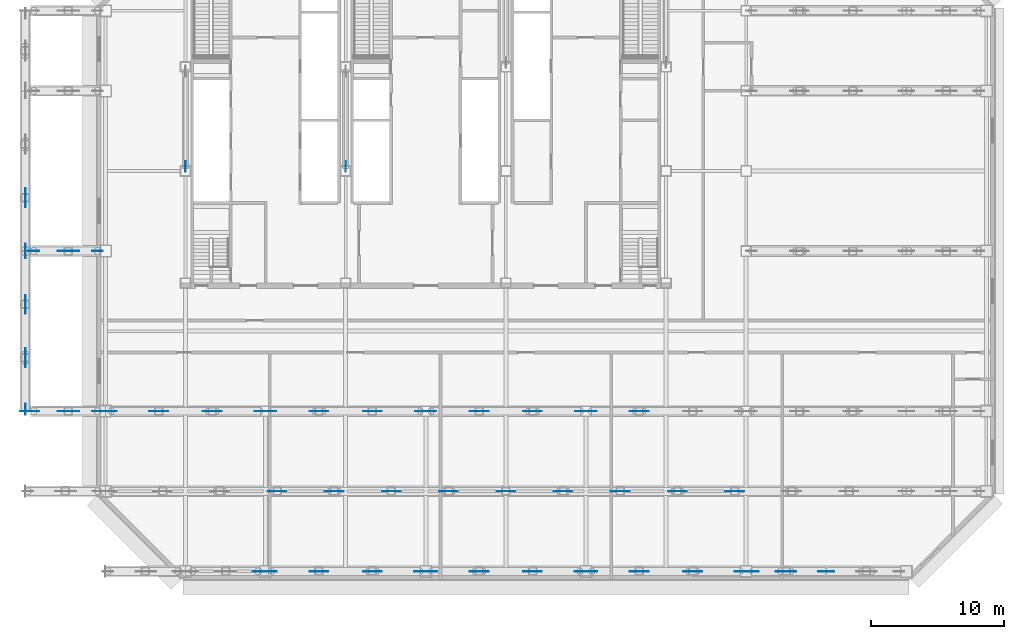
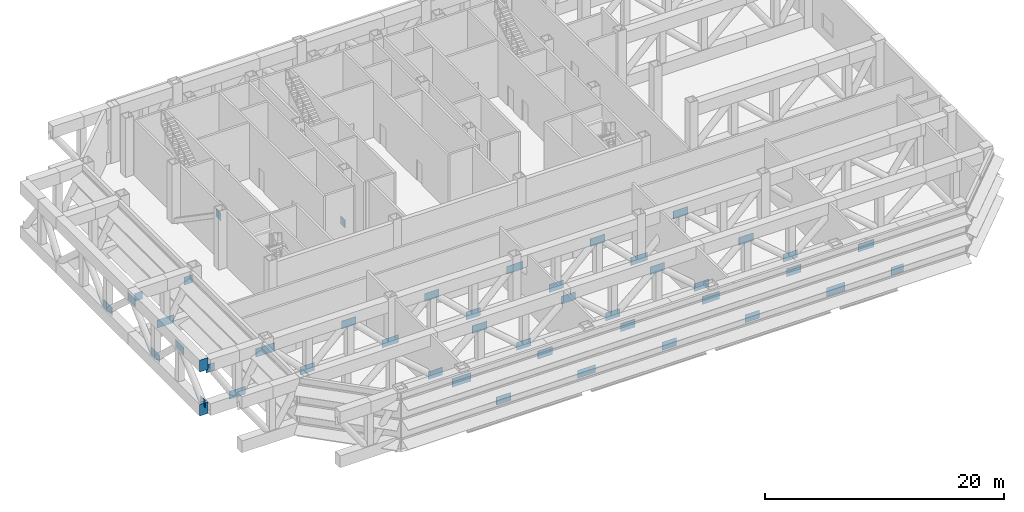
# One storey, part 11 of 17: 46 discrete accessories.
"""IFC4 building model written with IfcOpenShell, lengths in metres."""

import ifcopenshell
import ifcopenshell.guid

model = None  # the IFC model being written
_history = None  # IfcOwnerHistory: only IFC2X3 demands one
_inside = {}  # id of a spatial element -> (the spatial element, [elements in it])
_under = {}  # id of a project, library or spatial element -> (it, [spatial elements below it])
_declared = {}  # id of a project -> (the project, [libraries it declares])
_typed = {}  # id of a type object -> (the type object, [elements of that type])
_made_of = {}  # id of a material, layer set ... -> (it, [elements and type objects made of it])


def new_model(schema):
    """Start an empty IFC model of exactly this schema.

    Asked for "IFC4X3", IfcOpenShell would pick the latest addendum, in which some entities
    have other attributes; the version numbers below select the first issue.
    IFC2X3 requires an IfcOwnerHistory on every rooted entity: one is made here for all.
    """
    global model, _history
    if schema == "IFC4X3":
        model = ifcopenshell.file(schema_version=(4, 3, 0, 0))
    else:
        model = ifcopenshell.file(schema=schema)
    _inside.clear()
    _under.clear()
    _declared.clear()
    _typed.clear()
    _made_of.clear()
    _history = None
    if model.schema == "IFC2X3":
        org = make("IfcOrganization", Name="unknown")
        user = make(
            "IfcPersonAndOrganization",
            ThePerson=make("IfcPerson", FamilyName="unknown"),
            TheOrganization=org,
        )
        app = make(
            "IfcApplication",
            ApplicationDeveloper=org,
            Version="unknown",
            ApplicationFullName="unknown",
            ApplicationIdentifier="unknown",
        )
        _history = make(
            "IfcOwnerHistory",
            OwningUser=user,
            OwningApplication=app,
            ChangeAction="ADDED",
            CreationDate=0,
        )
    return model


def make(cls, **values):
    """One entity of the class cls with the attributes given. An attribute that is None is left unset."""
    return model.create_entity(
        cls, **{name: value for name, value in values.items() if value is not None}
    )


def rooted(cls, **values):
    """An entity with a GlobalId (a new one), such as an element, a storey or a relation."""
    return make(cls, GlobalId=ifcopenshell.guid.new(), OwnerHistory=_history, **values)


def si_unit(unit_type, name, prefix=None):
    """IfcSIUnit, for example si_unit("LENGTHUNIT", "METRE", prefix="MILLI")."""
    return make("IfcSIUnit", UnitType=unit_type, Prefix=prefix, Name=name)


def assignment(units):
    """IfcUnitAssignment: the units of a project."""
    return None if units is None else make("IfcUnitAssignment", Units=units)


def point(xyz):
    """IfcCartesianPoint."""
    return None if xyz is None else make("IfcCartesianPoint", Coordinates=xyz)


def direction(xyz):
    """IfcDirection."""
    return None if xyz is None else make("IfcDirection", DirectionRatios=xyz)


def frame(location, z_axis=None, x_axis=None):
    """IfcAxis2Placement3D, a coordinate frame: its origin and axes. An axis left out is left unset."""
    return make(
        "IfcAxis2Placement3D",
        Location=point(location),
        Axis=direction(z_axis),
        RefDirection=direction(x_axis),
    )


def frame_2d(location, x_axis=None):
    """IfcAxis2Placement2D, a coordinate frame in the plane: its origin and x axis."""
    return make(
        "IfcAxis2Placement2D", Location=point(location), RefDirection=direction(x_axis)
    )


def origin():
    """The frame at (0, 0, 0) with its axes left unset."""
    return frame((0.0, 0.0, 0.0))


def origin_2d():
    """The frame at (0, 0) in the plane with its x axis left unset."""
    return frame_2d((0.0, 0.0))


def place(relative_to, where):
    """IfcLocalPlacement: puts the frame where relative to a parent placement (None: the world)."""
    return make(
        "IfcLocalPlacement", PlacementRelTo=relative_to, RelativePlacement=where
    )


def context(
    kind, dimensions, precision=None, world=None, true_north=None, identifier=None
):
    """IfcGeometricRepresentationContext, for example the 3D "Model" context."""
    return make(
        "IfcGeometricRepresentationContext",
        ContextIdentifier=identifier,
        ContextType=kind,
        CoordinateSpaceDimension=dimensions,
        Precision=precision,
        WorldCoordinateSystem=world,
        TrueNorth=true_north,
    )


def subcontext(parent, identifier, kind, view, scale=None):
    """IfcGeometricRepresentationSubContext, for example "Body" below "Model"."""
    return make(
        "IfcGeometricRepresentationSubContext",
        ContextIdentifier=identifier,
        ContextType=kind,
        ParentContext=parent,
        TargetScale=scale,
        TargetView=view,
    )


def project(units=None, contexts=None):
    """IfcProject with its units and contexts."""
    return rooted(
        "IfcProject",
        Name="project",
        RepresentationContexts=contexts,
        UnitsInContext=assignment(units),
    )


def spatial(cls, under=None, at=None, **own):
    """A site, building, storey or space (cls), placed at a placement, below another one or the project."""
    s = rooted(cls, ObjectPlacement=at, **own)
    if under is not None:
        _under.setdefault(under.id(), (under, []))[1].append(s)
    return s


def profile(cls, at=None, kind="AREA", **sizes):
    """A parametric profile (cls). Its sizes go by their IFC names, for example OverallWidth=200.0."""
    return make(cls, ProfileType=kind, Position=at, **sizes)


def rectangle(**sizes):
    """IfcRectangleProfileDef."""
    return profile("IfcRectangleProfileDef", **sizes)


def extrude(swept, where, along, depth):
    """IfcExtrudedAreaSolid: the profile swept, set in the frame where, extruded along a direction by depth."""
    return make(
        "IfcExtrudedAreaSolid",
        SweptArea=swept,
        Position=where,
        ExtrudedDirection=direction(along),
        Depth=depth,
    )


def shape(context_of_items, identifier, shape_type, items):
    """IfcShapeRepresentation: the items that make up one representation, for example the "Body"."""
    return make(
        "IfcShapeRepresentation",
        ContextOfItems=context_of_items,
        RepresentationIdentifier=identifier,
        RepresentationType=shape_type,
        Items=items,
    )


def material(Name=None, Category=None):
    """IfcMaterial."""
    return make("IfcMaterial", Name=Name, Category=Category)


def layer(
    of_material, thickness, ventilated=None, Name=None, Category=None, Priority=None
):
    """IfcMaterialLayer: one layer of a wall or slab, of a material (None: an air gap)."""
    return make(
        "IfcMaterialLayer",
        Material=of_material,
        LayerThickness=thickness,
        IsVentilated=ventilated,
        Name=Name,
        Category=Category,
        Priority=Priority,
    )


def layer_set(layers, Name=None):
    """IfcMaterialLayerSet."""
    return make("IfcMaterialLayerSet", MaterialLayers=layers, LayerSetName=Name)


def made_of(thing, what):
    """Note that an element or type object is made of a material, layer set ...; save() writes the relation."""
    if what is not None:
        _made_of.setdefault(what.id(), (what, []))[1].append(thing)
    return thing


def type_object(cls, material=None, **own):
    """A type object (cls), such as IfcWallType, which elements share."""
    return made_of(rooted(cls, **own), material)


def element(
    cls,
    number,
    at=None,
    inside=None,
    cuts=None,
    type_object=None,
    material=None,
    context=None,
    identifier="Body",
    shape_type=None,
    held_by="IfcProductDefinitionShape",
    body=None,
    shapes=None,
    **own,
):
    """One element of the class cls, such as IfcWall. Its Tag is "e" and its number.

    at: its placement. inside: the storey or other place that contains it. cuts: it is an
    opening in that element (IfcRelVoidsElement). A single representation is given by context,
    identifier, shape_type and body (its items); several are given by shapes. held_by: the class
    of the entity that holds the representations. save() writes the other relations.
    """
    e = rooted(cls, Tag="e%d" % number, ObjectPlacement=at, **own)
    if body is not None:
        shapes = [shape(context, identifier, shape_type, body)]
    if shapes is not None:
        e.Representation = make(held_by, Representations=shapes)
    if inside is not None:
        _inside.setdefault(inside.id(), (inside, []))[1].append(e)
    if cuts is not None:
        rooted(
            "IfcRelVoidsElement", RelatingBuildingElement=cuts, RelatedOpeningElement=e
        )
    if type_object is not None:
        _typed.setdefault(type_object.id(), (type_object, []))[1].append(e)
    return made_of(e, material)


def aggregate(whole, parts):
    """IfcRelAggregates: a whole, such as a stair, and the parts it consists of."""
    return rooted("IfcRelAggregates", RelatingObject=whole, RelatedObjects=parts)


def save(model, path):
    """Write the relations noted so far, then the file.

    IfcRelAggregates (storeys below a building ...), IfcRelContainedInSpatialStructure (elements
    in a storey), IfcRelDefinesByType, IfcRelAssociatesMaterial and IfcRelDeclares: one each for
    every whole, place, type object, material and project.
    """
    for whole, parts in _under.values():
        aggregate(whole, parts)
    for where, things in _inside.values():
        rooted(
            "IfcRelContainedInSpatialStructure",
            RelatedElements=things,
            RelatingStructure=where,
        )
    for kind, things in _typed.values():
        rooted("IfcRelDefinesByType", RelatedObjects=things, RelatingType=kind)
    for what, things in _made_of.values():
        rooted("IfcRelAssociatesMaterial", RelatedObjects=things, RelatingMaterial=what)
    for by, libraries in _declared.values():
        rooted("IfcRelDeclares", RelatingContext=by, RelatedDefinitions=libraries)
    model.write(path)


model = new_model("IFC4")

# Units and contexts
model_context = context("Model", 3, precision=1e-05, world=origin(), true_north=direction((0.0, 1.0)))
body_context = subcontext(model_context, "Body", "Model", "MODEL_VIEW")
ifc_project = project(units=[si_unit("LENGTHUNIT", "METRE"), si_unit("AREAUNIT", "SQUARE_METRE"), si_unit("VOLUMEUNIT", "CUBIC_METRE"), si_unit("PLANEANGLEUNIT", "RADIAN"), si_unit("MASSUNIT", "GRAM", prefix="KILO")], contexts=[model_context])

# Site, building, storey
site_placement = place(None, origin())
site = spatial("IfcSite", under=ifc_project, at=site_placement, CompositionType="ELEMENT")
building_placement = place(site_placement, origin())
building = spatial("IfcBuilding", under=site, at=building_placement, Name="Sorahane Residences", CompositionType="ELEMENT")
storey_placement = place(building_placement, frame((0.0, 0.0, 90.199951171875)))
storey = spatial("IfcBuildingStorey", under=building, at=storey_placement, Name="L19", CompositionType="ELEMENT", Elevation=90.199951171875)

# Discrete accessories
ifc_material_1 = material(Name="Steel Q420GJ", Category="steel")
ifc_layer_1 = layer(ifc_material_1, 0.02001953125)
ifc_layer_set_1 = layer_set([ifc_layer_1], Name="End plate Steel Q420GJ 800x1200x20")
discrete_accessory_type_1 = type_object("IfcDiscreteAccessoryType", Name="End plate Steel Q420GJ 800x1200x20", PredefinedType="USERDEFINED", material=ifc_layer_set_1)
for number, where, z_axis, x_axis, name in (
    (1, (-6.0, 11.989990234375, 0.0), (0.0, 0.0, 1.0), (0.0, 1.0, 0.0), "End plate L19"),
    (2, (-6.0, 11.989990234375, 4.5), (0.0, 0.0, 1.0), (0.0, 1.0, 0.0), "End plate L19"),
):
    element("IfcDiscreteAccessory", number, at=place(storey_placement, frame(where, z_axis=z_axis, x_axis=x_axis)), inside=storey, type_object=discrete_accessory_type_1, Name=name, ObjectType="END PLATE", PredefinedType="USERDEFINED", context=body_context, shape_type="SweptSolid", body=[
        extrude(rectangle(XDim=0.02001953125, YDim=0.800048828125, at=origin_2d()), origin(), (0.0, 0.0, 1.0), 1.199951171875),
    ])
ifc_material_2 = material(Name="Steel Q355B", Category="steel")
ifc_layer_2 = layer(ifc_material_2, 0.02490234375)
ifc_layer_set_2 = layer_set([ifc_layer_2], Name="Node plate Steel Q355B 25")
discrete_accessory_type_2 = type_object("IfcDiscreteAccessoryType", Name="Node plate Steel Q355B 25", PredefinedType="BRACKET", material=ifc_layer_set_2)
for number, where, z_axis, x_axis, name in (
    (3, (6.0, 30.32373046875, 4.67724609375), (0.0, 0.0, 1.0), (0.0, 1.0, 0.0), "Node plate L19 br"),
    (4, (18.0, 30.32373046875, -0.2275390625), (0.0, 0.0, 1.0), (0.0, 1.0, 0.0), "Node plate L19 br"),
):
    element("IfcDiscreteAccessory", number, at=place(storey_placement, frame(where, z_axis=z_axis, x_axis=x_axis)), inside=storey, type_object=discrete_accessory_type_2, Name=name, PredefinedType="BRACKET", context=body_context, shape_type="SweptSolid", body=[
        extrude(rectangle(XDim=0.800048828125, YDim=0.02490234375, at=origin_2d()), origin(), (0.0, 0.0, 1.0), 0.800048828125),
    ])
ifc_material_3 = material(Name="Steel Q420GJ", Category="steel")
ifc_layer_3 = layer(ifc_material_3, 0.02490234375)
ifc_layer_set_3 = layer_set([ifc_layer_3], Name="Node plate Steel Q420GJ 25")
discrete_accessory_type_3 = type_object("IfcDiscreteAccessoryType", Name="Node plate Steel Q420GJ 25", PredefinedType="BRACKET", material=ifc_layer_set_3)
discrete_accessory_1_placement = place(storey_placement, frame((-6.0, 12.14990234375, 0.83349609375), z_axis=(0.0, 0.0, 1.0), x_axis=(0.0, 1.0, 0.0)))
element("IfcDiscreteAccessory", 5, at=discrete_accessory_1_placement, inside=storey, type_object=discrete_accessory_type_3, Name="Node plate L19 tr", PredefinedType="BRACKET", context=body_context, shape_type="SweptSolid", body=[
    extrude(rectangle(XDim=0.800048828125, YDim=0.02490234375, at=origin_2d()), origin(), (0.0, 0.0, 1.0), 0.800048828125),
])
for number, where, z_axis, x_axis, name in (
    (6, (-6.0, 20.0, 0.814453125), (0.0, 0.0, 1.0), (0.0, 1.0, 0.0), "Node plate L19 tr"),
    (7, (-6.0, 28.0, 0.814453125), (0.0, 0.0, 1.0), (0.0, 1.0, 0.0), "Node plate L19 tr"),
    (8, (-6.0, 16.0, 4.06640625), (0.0, 0.0, 1.0), (0.0, 1.0, 0.0), "Node plate L19 tr"),
):
    element("IfcDiscreteAccessory", number, at=place(storey_placement, frame(where, z_axis=z_axis, x_axis=x_axis)), inside=storey, type_object=discrete_accessory_type_3, Name=name, PredefinedType="BRACKET", context=body_context, shape_type="SweptSolid", body=[
        extrude(rectangle(XDim=1.39990234375, YDim=0.02490234375, at=origin_2d()), origin(), (0.0, 0.0, 1.0), 0.819580078125),
    ])
discrete_accessory_2_placement = place(storey_placement, frame((-6.0, 24.0, 4.06640625), z_axis=(0.0, 0.0, 1.0), x_axis=(0.0, 1.0, 0.0)))
element("IfcDiscreteAccessory", 9, at=discrete_accessory_2_placement, inside=storey, type_object=discrete_accessory_type_3, Name="Node plate L19 tr", PredefinedType="BRACKET", context=body_context, shape_type="SweptSolid", body=[
    extrude(rectangle(XDim=1.10009765625, YDim=0.02490234375, at=origin_2d()), origin(), (0.0, 0.0, 1.0), 0.800048828125),
])
discrete_accessory_3_placement = place(storey_placement, frame((16.0, 0.0, 0.79248046875), z_axis=(0.0, 0.0, 1.0), x_axis=(1.0, 0.0, 0.0)))
element("IfcDiscreteAccessory", 10, at=discrete_accessory_3_placement, inside=storey, type_object=discrete_accessory_type_3, Name="Node plate L19 tr", PredefinedType="BRACKET", context=body_context, shape_type="SweptSolid", body=[
    extrude(rectangle(XDim=1.39990234375, YDim=0.02490234375, at=origin_2d()), origin(), (0.0, 0.0, 1.0), 0.82177734375),
])
discrete_accessory_4_placement = place(storey_placement, frame((24.0, 0.0, 0.79248046875), z_axis=(0.0, 0.0, 1.0), x_axis=(1.0, 0.0, 0.0)))
element("IfcDiscreteAccessory", 11, at=discrete_accessory_4_placement, inside=storey, type_object=discrete_accessory_type_3, Name="Node plate L19 tr", PredefinedType="BRACKET", context=body_context, shape_type="SweptSolid", body=[
    extrude(rectangle(XDim=1.699951171875, YDim=0.02490234375, at=origin_2d()), origin(), (0.0, 0.0, 1.0), 0.800048828125),
])
for number, where, z_axis, x_axis, name in (
    (12, (32.0, 0.0, 0.79248046875), (0.0, 0.0, 1.0), (1.0, 0.0, 0.0), "Node plate L19 tr"),
    (13, (40.0, 0.0, 0.79248046875), (0.0, 0.0, 1.0), (1.0, 0.0, 0.0), "Node plate L19 tr"),
):
    element("IfcDiscreteAccessory", number, at=place(storey_placement, frame(where, z_axis=z_axis, x_axis=x_axis)), inside=storey, type_object=discrete_accessory_type_3, Name=name, PredefinedType="BRACKET", context=body_context, shape_type="SweptSolid", body=[
        extrude(rectangle(XDim=1.39990234375, YDim=0.02490234375, at=origin_2d()), origin(), (0.0, 0.0, 1.0), 0.82177734375),
    ])
discrete_accessory_5_placement = place(storey_placement, frame((48.048828125, 0.0, 0.715576171875), z_axis=(0.0, 0.0, 1.0), x_axis=(1.0, 0.0, 0.0)))
element("IfcDiscreteAccessory", 14, at=discrete_accessory_5_placement, inside=storey, type_object=discrete_accessory_type_3, Name="Node plate L19 tr", PredefinedType="BRACKET", context=body_context, shape_type="SweptSolid", body=[
    extrude(rectangle(XDim=1.797607421875, YDim=0.02490234375, at=origin_2d()), origin(), (0.0, 0.0, 1.0), 0.876953125),
])
discrete_accessory_6_placement = place(storey_placement, frame((54.0, 0.0, 0.70849609375), z_axis=(0.0, 0.0, 1.0), x_axis=(1.0, 0.0, 0.0)))
element("IfcDiscreteAccessory", 15, at=discrete_accessory_6_placement, inside=storey, type_object=discrete_accessory_type_3, Name="Node plate L19 tr", PredefinedType="BRACKET", context=body_context, shape_type="SweptSolid", body=[
    extrude(rectangle(XDim=1.185302734375, YDim=0.02490234375, at=origin_2d()), origin(), (0.0, 0.0, 1.0), 0.800048828125),
])
discrete_accessory_7_placement = place(storey_placement, frame((11.951171875, 0.0, 4.107666015625), z_axis=(0.0, 0.0, 1.0), x_axis=(1.0, 0.0, 0.0)))
element("IfcDiscreteAccessory", 16, at=discrete_accessory_7_placement, inside=storey, type_object=discrete_accessory_type_3, Name="Node plate L19 tr", PredefinedType="BRACKET", context=body_context, shape_type="SweptSolid", body=[
    extrude(rectangle(XDim=1.797607421875, YDim=0.02490234375, at=origin_2d()), origin(), (0.0, 0.0, 1.0), 0.876953125),
])
for number, where, z_axis, x_axis, name in (
    (17, (20.0, 0.0, 4.085693359375), (0.0, 0.0, 1.0), (1.0, 0.0, 0.0), "Node plate L19 tr"),
    (18, (28.0, 0.0, 4.085693359375), (0.0, 0.0, 1.0), (1.0, 0.0, 0.0), "Node plate L19 tr"),
):
    element("IfcDiscreteAccessory", number, at=place(storey_placement, frame(where, z_axis=z_axis, x_axis=x_axis)), inside=storey, type_object=discrete_accessory_type_3, Name=name, PredefinedType="BRACKET", context=body_context, shape_type="SweptSolid", body=[
        extrude(rectangle(XDim=1.39990234375, YDim=0.02490234375, at=origin_2d()), origin(), (0.0, 0.0, 1.0), 0.82177734375),
    ])
discrete_accessory_8_placement = place(storey_placement, frame((36.0, 0.0, 4.107421875), z_axis=(0.0, 0.0, 1.0), x_axis=(1.0, 0.0, 0.0)))
element("IfcDiscreteAccessory", 19, at=discrete_accessory_8_placement, inside=storey, type_object=discrete_accessory_type_3, Name="Node plate L19 tr", PredefinedType="BRACKET", context=body_context, shape_type="SweptSolid", body=[
    extrude(rectangle(XDim=1.699951171875, YDim=0.02490234375, at=origin_2d()), origin(), (0.0, 0.0, 1.0), 0.800048828125),
])
discrete_accessory_9_placement = place(storey_placement, frame((44.0, 0.0, 4.085693359375), z_axis=(0.0, 0.0, 1.0), x_axis=(1.0, 0.0, 0.0)))
element("IfcDiscreteAccessory", 20, at=discrete_accessory_9_placement, inside=storey, type_object=discrete_accessory_type_3, Name="Node plate L19 tr", PredefinedType="BRACKET", context=body_context, shape_type="SweptSolid", body=[
    extrude(rectangle(XDim=1.39990234375, YDim=0.02490234375, at=origin_2d()), origin(), (0.0, 0.0, 1.0), 0.82177734375),
])
discrete_accessory_10_placement = place(storey_placement, frame((50.972412109375, 0.0, 4.1845703125), z_axis=(0.0, 0.0, 1.0), x_axis=(1.0, 0.0, 0.0)))
element("IfcDiscreteAccessory", 21, at=discrete_accessory_10_placement, inside=storey, type_object=discrete_accessory_type_3, Name="Node plate L19 tr", PredefinedType="BRACKET", context=body_context, shape_type="SweptSolid", body=[
    extrude(rectangle(XDim=1.540283203125, YDim=0.02490234375, at=origin_2d()), origin(), (0.0, 0.0, 1.0), 0.80712890625),
])
for number, where, z_axis, x_axis, name in (
    (22, (12.857177734375, 6.0, 0.849609375), (0.0, 0.0, 1.0), (1.0, 0.0, 0.0), "Node plate L19 tr"),
    (23, (21.4287109375, 6.0, 0.849609375), (0.0, 0.0, 1.0), (1.0, 0.0, 0.0), "Node plate L19 tr"),
    (24, (30.0, 6.0, 0.849609375), (0.0, 0.0, 1.0), (1.0, 0.0, 0.0), "Node plate L19 tr"),
    (25, (38.5712890625, 6.0, 0.849609375), (0.0, 0.0, 1.0), (1.0, 0.0, 0.0), "Node plate L19 tr"),
    (26, (47.142822265625, 6.0, 0.849609375), (0.0, 0.0, 1.0), (1.0, 0.0, 0.0), "Node plate L19 tr"),
    (27, (17.142822265625, 6.0, 4.05029296875), (0.0, 0.0, 1.0), (1.0, 0.0, 0.0), "Node plate L19 tr"),
    (28, (25.71435546875, 6.0, 4.05029296875), (0.0, 0.0, 1.0), (1.0, 0.0, 0.0), "Node plate L19 tr"),
    (29, (34.28564453125, 6.0, 4.05029296875), (0.0, 0.0, 1.0), (1.0, 0.0, 0.0), "Node plate L19 tr"),
    (30, (42.857177734375, 6.0, 4.05029296875), (0.0, 0.0, 1.0), (1.0, 0.0, 0.0), "Node plate L19 tr"),
):
    element("IfcDiscreteAccessory", number, at=place(storey_placement, frame(where, z_axis=z_axis, x_axis=x_axis)), inside=storey, type_object=discrete_accessory_type_3, Name=name, PredefinedType="BRACKET", context=body_context, shape_type="SweptSolid", body=[
        extrude(rectangle(XDim=1.39990234375, YDim=0.02490234375, at=origin_2d()), origin(), (0.0, 0.0, 1.0), 0.800048828125),
    ])
discrete_accessory_11_placement = place(storey_placement, frame((-2.773681640625, 12.0, 0.712890625), z_axis=(0.0, 0.0, 1.0), x_axis=(1.0, 0.0, 0.0)))
element("IfcDiscreteAccessory", 31, at=discrete_accessory_11_placement, inside=storey, type_object=discrete_accessory_type_3, Name="Node plate L19 tr", PredefinedType="BRACKET", context=body_context, shape_type="SweptSolid", body=[
    extrude(rectangle(XDim=1.612060546875, YDim=0.02490234375, at=origin_2d()), origin(), (0.0, 0.0, 1.0), 0.807861328125),
])
discrete_accessory_12_placement = place(storey_placement, frame((4.0, 12.0, 0.79248046875), z_axis=(0.0, 0.0, 1.0), x_axis=(1.0, 0.0, 0.0)))
element("IfcDiscreteAccessory", 32, at=discrete_accessory_12_placement, inside=storey, type_object=discrete_accessory_type_3, Name="Node plate L19 tr", PredefinedType="BRACKET", context=body_context, shape_type="SweptSolid", body=[
    extrude(rectangle(XDim=1.39990234375, YDim=0.02490234375, at=origin_2d()), origin(), (0.0, 0.0, 1.0), 0.82177734375),
])
discrete_accessory_13_placement = place(storey_placement, frame((12.0, 12.0, 0.7998046875), z_axis=(0.0, 0.0, 1.0), x_axis=(1.0, 0.0, 0.0)))
element("IfcDiscreteAccessory", 33, at=discrete_accessory_13_placement, inside=storey, type_object=discrete_accessory_type_3, Name="Node plate L19 tr", PredefinedType="BRACKET", context=body_context, shape_type="SweptSolid", body=[
    extrude(rectangle(XDim=1.60009765625, YDim=0.02490234375, at=origin_2d()), origin(), (0.0, 0.0, 1.0), 0.800048828125),
])
for number, where, z_axis, x_axis, name in (
    (34, (20.0, 12.0, 0.7998046875), (0.0, 0.0, 1.0), (1.0, 0.0, 0.0), "Node plate L19 tr"),
    (35, (28.0, 12.0, 0.7998046875), (0.0, 0.0, 1.0), (1.0, 0.0, 0.0), "Node plate L19 tr"),
):
    element("IfcDiscreteAccessory", number, at=place(storey_placement, frame(where, z_axis=z_axis, x_axis=x_axis)), inside=storey, type_object=discrete_accessory_type_3, Name=name, PredefinedType="BRACKET", context=body_context, shape_type="SweptSolid", body=[
        extrude(rectangle(XDim=1.39990234375, YDim=0.02490234375, at=origin_2d()), origin(), (0.0, 0.0, 1.0), 0.814208984375),
    ])
discrete_accessory_14_placement = place(storey_placement, frame((36.0, 12.0, 0.7998046875), z_axis=(0.0, 0.0, 1.0), x_axis=(1.0, 0.0, 0.0)))
element("IfcDiscreteAccessory", 36, at=discrete_accessory_14_placement, inside=storey, type_object=discrete_accessory_type_3, Name="Node plate L19 tr", PredefinedType="BRACKET", context=body_context, shape_type="SweptSolid", body=[
    extrude(rectangle(XDim=1.60009765625, YDim=0.02490234375, at=origin_2d()), origin(), (0.0, 0.0, 1.0), 0.800048828125),
])
discrete_accessory_15_placement = place(storey_placement, frame((-5.3701171875, 12.0, 4.18701171875), z_axis=(0.0, 0.0, 1.0), x_axis=(1.0, 0.0, 0.0)))
element("IfcDiscreteAccessory", 37, at=discrete_accessory_15_placement, inside=storey, type_object=discrete_accessory_type_3, Name="Node plate L19 tr", PredefinedType="BRACKET", context=body_context, shape_type="SweptSolid", body=[
    extrude(rectangle(XDim=0.800048828125, YDim=0.02490234375, at=origin_2d()), origin(), (0.0, 0.0, 1.0), 0.800048828125),
])
discrete_accessory_16_placement = place(storey_placement, frame((-0.066162109375, 12.0, 4.107666015625), z_axis=(0.0, 0.0, 1.0), x_axis=(1.0, 0.0, 0.0)))
element("IfcDiscreteAccessory", 38, at=discrete_accessory_16_placement, inside=storey, type_object=discrete_accessory_type_3, Name="Node plate L19 tr", PredefinedType="BRACKET", context=body_context, shape_type="SweptSolid", body=[
    extrude(rectangle(XDim=1.832275390625, YDim=0.02490234375, at=origin_2d()), origin(), (0.0, 0.0, 1.0), 0.87158203125),
])
for number, where, z_axis, x_axis, name in (
    (39, (8.0, 12.0, 4.0859375), (0.0, 0.0, 1.0), (1.0, 0.0, 0.0), "Node plate L19 tr"),
    (40, (16.0, 12.0, 4.0859375), (0.0, 0.0, 1.0), (1.0, 0.0, 0.0), "Node plate L19 tr"),
):
    element("IfcDiscreteAccessory", number, at=place(storey_placement, frame(where, z_axis=z_axis, x_axis=x_axis)), inside=storey, type_object=discrete_accessory_type_3, Name=name, PredefinedType="BRACKET", context=body_context, shape_type="SweptSolid", body=[
        extrude(rectangle(XDim=1.39990234375, YDim=0.02490234375, at=origin_2d()), origin(), (0.0, 0.0, 1.0), 0.814208984375),
    ])
discrete_accessory_17_placement = place(storey_placement, frame((24.0, 12.0, 4.10009765625), z_axis=(0.0, 0.0, 1.0), x_axis=(1.0, 0.0, 0.0)))
element("IfcDiscreteAccessory", 41, at=discrete_accessory_17_placement, inside=storey, type_object=discrete_accessory_type_3, Name="Node plate L19 tr", PredefinedType="BRACKET", context=body_context, shape_type="SweptSolid", body=[
    extrude(rectangle(XDim=1.60009765625, YDim=0.02490234375, at=origin_2d()), origin(), (0.0, 0.0, 1.0), 0.800048828125),
])
for number, where, z_axis, x_axis, name in (
    (42, (32.0, 12.0, 4.0859375), (0.0, 0.0, 1.0), (1.0, 0.0, 0.0), "Node plate L19 tr"),
    (43, (40.0, 12.0, 4.0859375), (0.0, 0.0, 1.0), (1.0, 0.0, 0.0), "Node plate L19 tr"),
):
    element("IfcDiscreteAccessory", number, at=place(storey_placement, frame(where, z_axis=z_axis, x_axis=x_axis)), inside=storey, type_object=discrete_accessory_type_3, Name=name, PredefinedType="BRACKET", context=body_context, shape_type="SweptSolid", body=[
        extrude(rectangle(XDim=1.39990234375, YDim=0.02490234375, at=origin_2d()), origin(), (0.0, 0.0, 1.0), 0.814208984375),
    ])
discrete_accessory_18_placement = place(storey_placement, frame((-2.773681640625, 24.0, 0.712890625), z_axis=(0.0, 0.0, 1.0), x_axis=(1.0, 0.0, 0.0)))
element("IfcDiscreteAccessory", 44, at=discrete_accessory_18_placement, inside=storey, type_object=discrete_accessory_type_3, Name="Node plate L19 tr", PredefinedType="BRACKET", context=body_context, shape_type="SweptSolid", body=[
    extrude(rectangle(XDim=1.612060546875, YDim=0.02490234375, at=origin_2d()), origin(), (0.0, 0.0, 1.0), 0.807861328125),
])
for number, where, z_axis, x_axis, name in (
    (45, (-5.3701171875, 24.0, 4.18701171875), (0.0, 0.0, 1.0), (1.0, 0.0, 0.0), "Node plate L19 tr"),
    (46, (-0.582275390625, 24.0, 4.17919921875), (0.0, 0.0, 1.0), (1.0, 0.0, 0.0), "Node plate L19 tr"),
):
    element("IfcDiscreteAccessory", number, at=place(storey_placement, frame(where, z_axis=z_axis, x_axis=x_axis)), inside=storey, type_object=discrete_accessory_type_3, Name=name, PredefinedType="BRACKET", context=body_context, shape_type="SweptSolid", body=[
        extrude(rectangle(XDim=0.800048828125, YDim=0.02490234375, at=origin_2d()), origin(), (0.0, 0.0, 1.0), 0.800048828125),
    ])

save(model, "model.ifc")
